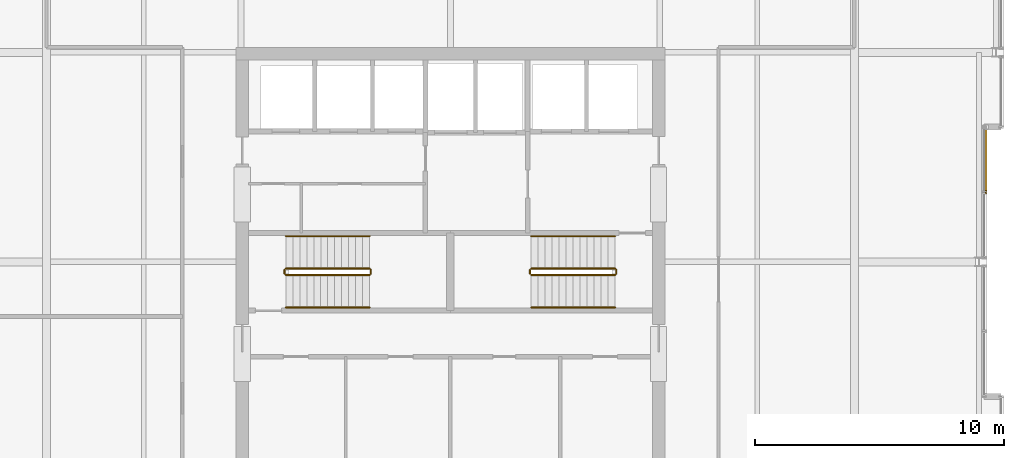
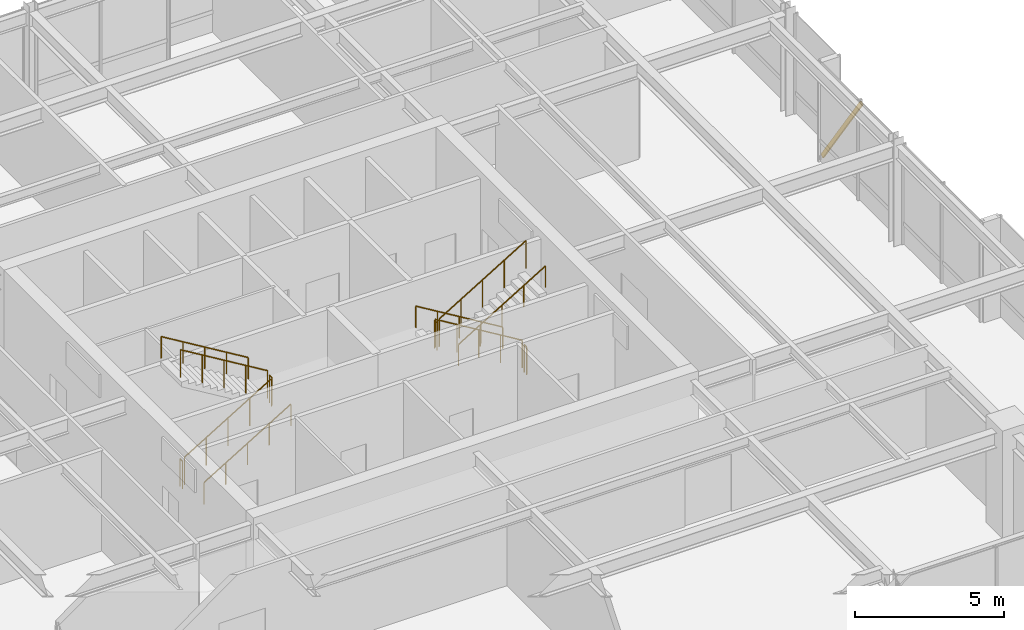
# One storey, part 33 of 34: 12 railings, 1 shading device.
"""IFC4 building model written with IfcOpenShell, lengths in metres."""

from ifc_helpers import new_model, si_unit, direction, frame, origin, origin_2d, place, context, subcontext, project, spatial, hollow_rectangle, circle, extrude, material, material_profile, profile_set, type_object, element, save


model = new_model("IFC4")

# Units and contexts
model_context = context("Model", 3, precision=1e-05, world=origin(), true_north=direction((0.0, 1.0)))
body_context = subcontext(model_context, "Body", "Model", "MODEL_VIEW")
ifc_project = project(units=[si_unit("LENGTHUNIT", "METRE"), si_unit("AREAUNIT", "SQUARE_METRE"), si_unit("VOLUMEUNIT", "CUBIC_METRE"), si_unit("PLANEANGLEUNIT", "RADIAN"), si_unit("MASSUNIT", "GRAM", prefix="KILO")], contexts=[model_context])

# Site, building, storey
site_placement = place(None, origin())
site = spatial("IfcSite", under=ifc_project, at=site_placement, CompositionType="ELEMENT")
building_placement = place(site_placement, origin())
building = spatial("IfcBuilding", under=site, at=building_placement, Name="Drelvath Grand Hotel", CompositionType="ELEMENT")
storey_placement = place(building_placement, frame((0.0, 0.0, 294.199951171875)))
storey = spatial("IfcBuildingStorey", under=building, at=storey_placement, Name="L77", CompositionType="ELEMENT", Elevation=294.199951171875)

# Railings
ifc_material_1 = material(Name="Painted Steel S275", Category="steel")
railing_type_1 = type_object("IfcRailingType", Name="Core Stair Wall Handrail 900", PredefinedType="HANDRAIL", material=ifc_material_1)
railing_1_placement = place(storey_placement, frame((-6.60009765625, 25.169921875, 0.169189453125)))
element("IfcRailing", 1, at=railing_1_placement, inside=storey, type_object=railing_type_1, Name="L77 ST-1 stair handrail 1", PredefinedType="HANDRAIL", context=body_context, shape_type="SweptSolid", body=[
    extrude(circle(Radius=0.02392578125, at=origin_2d()), frame((0.0, 0.0, 0.8759765625), z_axis=(0.855836976705, 0.0, 0.517245656632), x_axis=(0.0, 1.0, 0.0)), (0.0, 0.0, 1.0), 3.926025390625),
    extrude(circle(Radius=0.02099609375, at=origin_2d()), origin(), (0.0, 0.0, 1.0), 0.851806640625),
    extrude(circle(Radius=0.02099609375, at=origin_2d()), frame((0.840087890625, 0.0, 0.5078125)), (0.0, 0.0, 1.0), 0.851806640625),
    extrude(circle(Radius=0.02099609375, at=origin_2d()), frame((1.68017578125, 0.0, 1.015380859375)), (0.0, 0.0, 1.0), 0.851806640625),
    extrude(circle(Radius=0.02099609375, at=origin_2d()), frame((2.52001953125, 0.0, 1.52294921875)), (0.0, 0.0, 1.0), 0.851806640625),
    extrude(circle(Radius=0.02099609375, at=origin_2d()), frame((3.360107421875, 0.0, 2.03076171875)), (0.0, 0.0, 1.0), 0.851806640625),
])
for number, where, name in (
    (2, (-3.239990234375, 28.030029296875, 2.369384765625), "L77 ST-1 stair handrail 2"),
    (3, (6.60009765625, 28.030029296875, 0.169189453125), "L77 ST-2 stair handrail 1"),
):
    element("IfcRailing", number, at=place(storey_placement, frame(where)), inside=storey, type_object=railing_type_1, Name=name, PredefinedType="HANDRAIL", context=body_context, shape_type="SweptSolid", body=[
        extrude(circle(Radius=0.02392578125, at=origin_2d()), frame((0.0, 0.0, 0.8759765625), z_axis=(-0.855836976705, 0.0, 0.517245656632), x_axis=(0.0, -1.0, 0.0)), (0.0, 0.0, 1.0), 3.926025390625),
        extrude(circle(Radius=0.02099609375, at=origin_2d()), origin(), (0.0, 0.0, 1.0), 0.851806640625),
        extrude(circle(Radius=0.02099609375, at=origin_2d()), frame((-0.840087890625, 0.0, 0.5078125)), (0.0, 0.0, 1.0), 0.851806640625),
        extrude(circle(Radius=0.02099609375, at=origin_2d()), frame((-1.68017578125, 0.0, 1.015380859375)), (0.0, 0.0, 1.0), 0.851806640625),
        extrude(circle(Radius=0.02099609375, at=origin_2d()), frame((-2.52001953125, 0.0, 1.52294921875)), (0.0, 0.0, 1.0), 0.851806640625),
        extrude(circle(Radius=0.02099609375, at=origin_2d()), frame((-3.360107421875, 0.0, 2.03076171875)), (0.0, 0.0, 1.0), 0.851806640625),
    ])
railing_2_placement = place(storey_placement, frame((3.239990234375, 25.169921875, 2.369384765625)))
element("IfcRailing", 4, at=railing_2_placement, inside=storey, type_object=railing_type_1, Name="L77 ST-2 stair handrail 2", PredefinedType="HANDRAIL", context=body_context, shape_type="SweptSolid", body=[
    extrude(circle(Radius=0.02392578125, at=origin_2d()), frame((0.0, 0.0, 0.8759765625), z_axis=(0.855836976705, 0.0, 0.517245656632), x_axis=(0.0, 1.0, 0.0)), (0.0, 0.0, 1.0), 3.926025390625),
    extrude(circle(Radius=0.02099609375, at=origin_2d()), origin(), (0.0, 0.0, 1.0), 0.851806640625),
    extrude(circle(Radius=0.02099609375, at=origin_2d()), frame((0.840087890625, 0.0, 0.5078125)), (0.0, 0.0, 1.0), 0.851806640625),
    extrude(circle(Radius=0.02099609375, at=origin_2d()), frame((1.68017578125, 0.0, 1.015380859375)), (0.0, 0.0, 1.0), 0.851806640625),
    extrude(circle(Radius=0.02099609375, at=origin_2d()), frame((2.52001953125, 0.0, 1.52294921875)), (0.0, 0.0, 1.0), 0.851806640625),
    extrude(circle(Radius=0.02099609375, at=origin_2d()), frame((3.360107421875, 0.0, 2.03076171875)), (0.0, 0.0, 1.0), 0.851806640625),
])
railing_type_2 = type_object("IfcRailingType", Name="Core Stair Well Guardrail 1100", PredefinedType="GUARDRAIL", material=ifc_material_1)
railing_3_placement = place(storey_placement, frame((-6.60009765625, 26.469970703125, 0.169189453125)))
element("IfcRailing", 5, at=railing_3_placement, inside=storey, type_object=railing_type_2, Name="L77 ST-1 stair guard 1", PredefinedType="GUARDRAIL", context=body_context, shape_type="SweptSolid", body=[
    extrude(circle(Radius=0.02392578125, at=origin_2d()), frame((0.0, 0.0, 1.1259765625), z_axis=(0.855836976705, 0.0, 0.517245656632), x_axis=(0.0, 1.0, 0.0)), (0.0, 0.0, 1.0), 3.926025390625),
    extrude(circle(Radius=0.02099609375, at=origin_2d()), origin(), (0.0, 0.0, 1.0), 1.101806640625),
    extrude(circle(Radius=0.02099609375, at=origin_2d()), frame((0.840087890625, 0.0, 0.5078125)), (0.0, 0.0, 1.0), 1.101806640625),
    extrude(circle(Radius=0.02099609375, at=origin_2d()), frame((1.68017578125, 0.0, 1.015380859375)), (0.0, 0.0, 1.0), 1.101806640625),
    extrude(circle(Radius=0.02099609375, at=origin_2d()), frame((2.52001953125, 0.0, 1.52294921875)), (0.0, 0.0, 1.0), 1.101806640625),
    extrude(circle(Radius=0.02099609375, at=origin_2d()), frame((3.360107421875, 0.0, 2.03076171875)), (0.0, 0.0, 1.0), 1.101806640625),
])
railing_4_placement = place(storey_placement, frame((-3.18994140625, 26.52001953125, 2.199951171875)))
element("IfcRailing", 6, at=railing_4_placement, inside=storey, type_object=railing_type_2, Name="L77 ST-1 stair guard 2", PredefinedType="GUARDRAIL", context=body_context, shape_type="SweptSolid", body=[
    extrude(circle(Radius=0.02392578125, at=origin_2d()), frame((0.0, 0.0, 1.1259765625), z_axis=(0.0, 1.0, 0.0), x_axis=(-1.0, 0.0, 0.0)), (0.0, 0.0, 1.0), 0.159912109375),
    extrude(circle(Radius=0.02099609375, at=origin_2d()), origin(), (0.0, 0.0, 1.0), 1.101806640625),
    extrude(circle(Radius=0.02099609375, at=origin_2d()), frame((0.0, 0.159912109375, 0.0)), (0.0, 0.0, 1.0), 1.101806640625),
])
railing_5_placement = place(storey_placement, frame((-3.239990234375, 26.72998046875, 2.369384765625)))
element("IfcRailing", 7, at=railing_5_placement, inside=storey, type_object=railing_type_2, Name="L77 ST-1 stair guard 3", PredefinedType="GUARDRAIL", context=body_context, shape_type="SweptSolid", body=[
    extrude(circle(Radius=0.02392578125, at=origin_2d()), frame((0.0, 0.0, 1.1259765625), z_axis=(-0.855836976705, 0.0, 0.517245656632), x_axis=(0.0, -1.0, 0.0)), (0.0, 0.0, 1.0), 3.926025390625),
    extrude(circle(Radius=0.02099609375, at=origin_2d()), origin(), (0.0, 0.0, 1.0), 1.101806640625),
    extrude(circle(Radius=0.02099609375, at=origin_2d()), frame((-0.840087890625, 0.0, 0.5078125)), (0.0, 0.0, 1.0), 1.101806640625),
    extrude(circle(Radius=0.02099609375, at=origin_2d()), frame((-1.68017578125, 0.0, 1.015380859375)), (0.0, 0.0, 1.0), 1.101806640625),
    extrude(circle(Radius=0.02099609375, at=origin_2d()), frame((-2.52001953125, 0.0, 1.52294921875)), (0.0, 0.0, 1.0), 1.101806640625),
    extrude(circle(Radius=0.02099609375, at=origin_2d()), frame((-3.360107421875, 0.0, 2.03076171875)), (0.0, 0.0, 1.0), 1.101806640625),
])
railing_6_placement = place(storey_placement, frame((-6.64990234375, 26.52001953125, 0.0)))
element("IfcRailing", 8, at=railing_6_placement, inside=storey, type_object=railing_type_2, Name="L77 ST-1 stair guard 4", PredefinedType="GUARDRAIL", context=body_context, shape_type="SweptSolid", body=[
    extrude(circle(Radius=0.02392578125, at=origin_2d()), frame((0.0, 0.0, 1.1259765625), z_axis=(0.0, 1.0, 0.0), x_axis=(-1.0, 0.0, 0.0)), (0.0, 0.0, 1.0), 0.159912109375),
    extrude(circle(Radius=0.02099609375, at=origin_2d()), origin(), (0.0, 0.0, 1.0), 1.101806640625),
    extrude(circle(Radius=0.02099609375, at=origin_2d()), frame((0.0, 0.159912109375, 0.0)), (0.0, 0.0, 1.0), 1.101806640625),
])
railing_7_placement = place(storey_placement, frame((6.60009765625, 26.72998046875, 0.169189453125)))
element("IfcRailing", 9, at=railing_7_placement, inside=storey, type_object=railing_type_2, Name="L77 ST-2 stair guard 1", PredefinedType="GUARDRAIL", context=body_context, shape_type="SweptSolid", body=[
    extrude(circle(Radius=0.02392578125, at=origin_2d()), frame((0.0, 0.0, 1.1259765625), z_axis=(-0.855836976705, 0.0, 0.517245656632), x_axis=(0.0, -1.0, 0.0)), (0.0, 0.0, 1.0), 3.926025390625),
    extrude(circle(Radius=0.02099609375, at=origin_2d()), origin(), (0.0, 0.0, 1.0), 1.101806640625),
    extrude(circle(Radius=0.02099609375, at=origin_2d()), frame((-0.840087890625, 0.0, 0.5078125)), (0.0, 0.0, 1.0), 1.101806640625),
    extrude(circle(Radius=0.02099609375, at=origin_2d()), frame((-1.68017578125, 0.0, 1.015380859375)), (0.0, 0.0, 1.0), 1.101806640625),
    extrude(circle(Radius=0.02099609375, at=origin_2d()), frame((-2.52001953125, 0.0, 1.52294921875)), (0.0, 0.0, 1.0), 1.101806640625),
    extrude(circle(Radius=0.02099609375, at=origin_2d()), frame((-3.360107421875, 0.0, 2.03076171875)), (0.0, 0.0, 1.0), 1.101806640625),
])
railing_8_placement = place(storey_placement, frame((3.18994140625, 26.679931640625, 2.199951171875)))
element("IfcRailing", 10, at=railing_8_placement, inside=storey, type_object=railing_type_2, Name="L77 ST-2 stair guard 2", PredefinedType="GUARDRAIL", context=body_context, shape_type="SweptSolid", body=[
    extrude(circle(Radius=0.02392578125, at=origin_2d()), frame((0.0, 0.0, 1.1259765625), z_axis=(0.0, -1.0, 0.0), x_axis=(1.0, 0.0, 0.0)), (0.0, 0.0, 1.0), 0.159912109375),
    extrude(circle(Radius=0.02099609375, at=origin_2d()), origin(), (0.0, 0.0, 1.0), 1.101806640625),
    extrude(circle(Radius=0.02099609375, at=origin_2d()), frame((0.0, -0.159912109375, 0.0)), (0.0, 0.0, 1.0), 1.101806640625),
])
railing_9_placement = place(storey_placement, frame((3.239990234375, 26.469970703125, 2.369384765625)))
element("IfcRailing", 11, at=railing_9_placement, inside=storey, type_object=railing_type_2, Name="L77 ST-2 stair guard 3", PredefinedType="GUARDRAIL", context=body_context, shape_type="SweptSolid", body=[
    extrude(circle(Radius=0.02392578125, at=origin_2d()), frame((0.0, 0.0, 1.1259765625), z_axis=(0.855836976705, 0.0, 0.517245656632), x_axis=(0.0, 1.0, 0.0)), (0.0, 0.0, 1.0), 3.926025390625),
    extrude(circle(Radius=0.02099609375, at=origin_2d()), origin(), (0.0, 0.0, 1.0), 1.101806640625),
    extrude(circle(Radius=0.02099609375, at=origin_2d()), frame((0.840087890625, 0.0, 0.5078125)), (0.0, 0.0, 1.0), 1.101806640625),
    extrude(circle(Radius=0.02099609375, at=origin_2d()), frame((1.68017578125, 0.0, 1.015380859375)), (0.0, 0.0, 1.0), 1.101806640625),
    extrude(circle(Radius=0.02099609375, at=origin_2d()), frame((2.52001953125, 0.0, 1.52294921875)), (0.0, 0.0, 1.0), 1.101806640625),
    extrude(circle(Radius=0.02099609375, at=origin_2d()), frame((3.360107421875, 0.0, 2.03076171875)), (0.0, 0.0, 1.0), 1.101806640625),
])
railing_10_placement = place(storey_placement, frame((6.64990234375, 26.679931640625, 0.0)))
element("IfcRailing", 12, at=railing_10_placement, inside=storey, type_object=railing_type_2, Name="L77 ST-2 stair guard 4", PredefinedType="GUARDRAIL", context=body_context, shape_type="SweptSolid", body=[
    extrude(circle(Radius=0.02392578125, at=origin_2d()), frame((0.0, 0.0, 1.1259765625), z_axis=(0.0, -1.0, 0.0), x_axis=(1.0, 0.0, 0.0)), (0.0, 0.0, 1.0), 0.159912109375),
    extrude(circle(Radius=0.02099609375, at=origin_2d()), origin(), (0.0, 0.0, 1.0), 1.101806640625),
    extrude(circle(Radius=0.02099609375, at=origin_2d()), frame((0.0, -0.159912109375, 0.0)), (0.0, 0.0, 1.0), 1.101806640625),
])

# Shading device
ifc_material_2 = material(Name="Platinum-Mist Anodised Aluminium", Category="aluminium")
ifc_material_profile = material_profile(ifc_material_2, hollow_rectangle(XDim=0.06494140625, YDim=0.159912109375, WallThickness=0.00390625, at=origin_2d()), Name="HSS160X65X4")
ifc_profile_set = profile_set([ifc_material_profile], Name="Platinum-Mist Anodised Aluminium")
shading_device_type = type_object("IfcShadingDeviceType", Name="Diagonal Solar Fin Platinum Anodised HSS160X65X4", PredefinedType="USERDEFINED", material=ifc_profile_set)
shading_device_placement = place(storey_placement, frame((21.47998046875, 32.39990234375, 0.179931640625), z_axis=(0.0, -0.572995507788, 0.819558508012), x_axis=(1.0, 0.0, 0.0)))
element("IfcShadingDevice", 13, at=shading_device_placement, inside=storey, type_object=shading_device_type, Name="L77 Diagonal Anodised Fin CW05-L77-EM2", ObjectType="FIN", PredefinedType="USERDEFINED", context=body_context, shape_type="SweptSolid", body=[
    extrude(hollow_rectangle(XDim=0.06494140625, YDim=0.159912109375, WallThickness=0.00390625, at=origin_2d()), origin(), (0.0, 0.0, 1.0), 4.563720703125),
])

save(model, "model.ifc")
